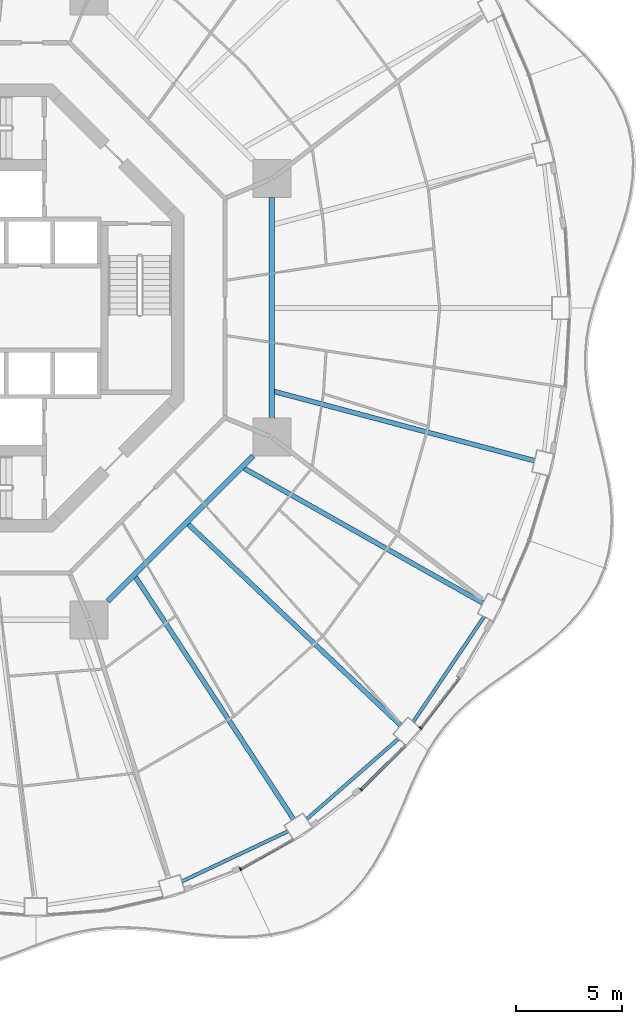
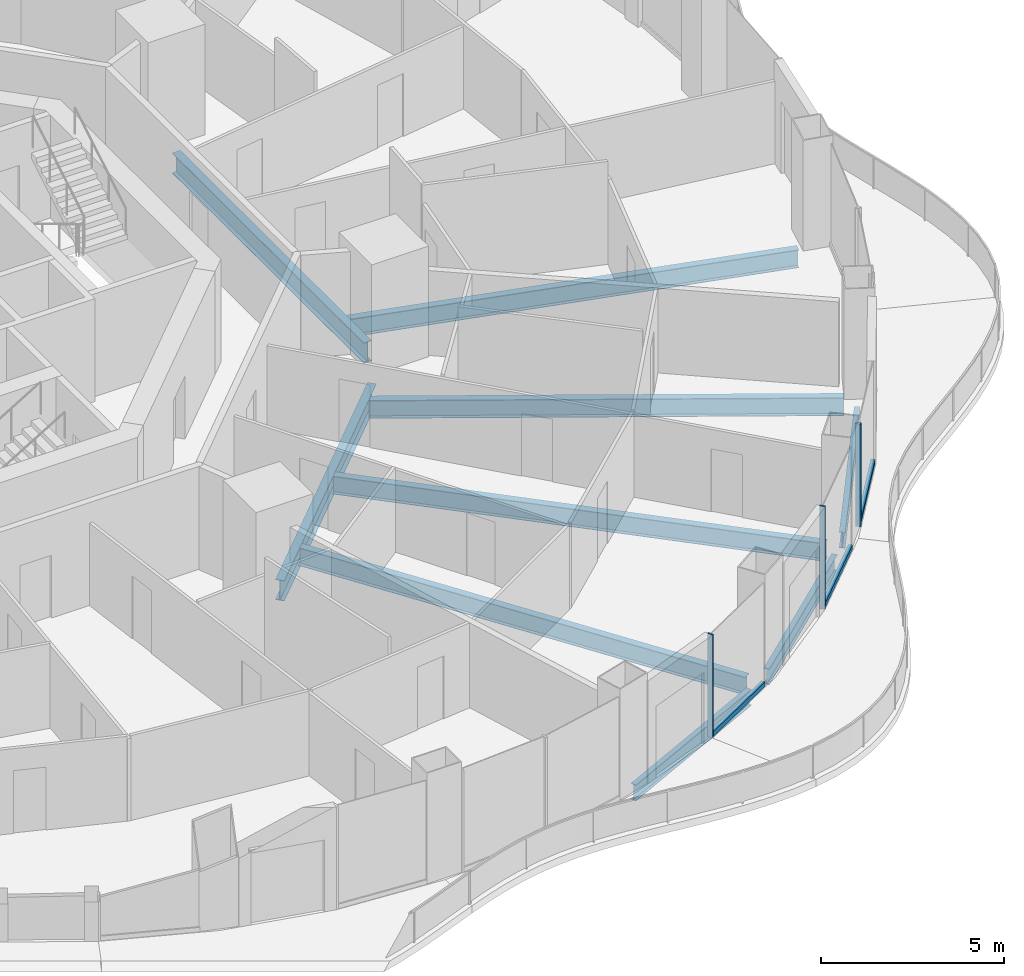
# One storey, part 4 of 19: 9 beams, 6 members, 3 elements without a shape of their own.
"""IFC4 building model written with IfcOpenShell, lengths in metres."""

from ifc_helpers import new_model, si_unit, direction, frame, origin, origin_2d, place, context, subcontext, project, spatial, rectangle, i_section, extrude, material, layer, layer_set, material_profile, profile_set, type_object, element, aggregate, save


model = new_model("IFC4")

# Units and contexts
model_context = context("Model", 3, precision=1e-05, world=origin(), true_north=direction((0.0, 1.0)))
body_context = subcontext(model_context, "Body", "Model", "MODEL_VIEW")
ifc_project = project(units=[si_unit("LENGTHUNIT", "METRE"), si_unit("AREAUNIT", "SQUARE_METRE"), si_unit("VOLUMEUNIT", "CUBIC_METRE"), si_unit("PLANEANGLEUNIT", "RADIAN"), si_unit("MASSUNIT", "GRAM", prefix="KILO")], contexts=[model_context])

# Site, building, storey
site_placement = place(None, origin())
site = spatial("IfcSite", under=ifc_project, at=site_placement, CompositionType="ELEMENT")
building_placement = place(site_placement, origin())
building = spatial("IfcBuilding", under=site, at=building_placement, Name="Nagisa Residences", CompositionType="ELEMENT")
storey_placement = place(building_placement, frame((0.0, 0.0, 191.800048828125)))
storey = spatial("IfcBuildingStorey", under=building, at=storey_placement, Name="L48", CompositionType="ELEMENT", Elevation=191.800048828125)

# Curtain wall, member
ifc_material_1 = material(Name="Concrete-coloured aluminium curtain wall system", Category="concrete")
ifc_layer = layer(ifc_material_1, 0.159912109375)
ifc_layer_set = layer_set([ifc_layer], Name="CW1 CURTAIN WALL")
curtain_wall_type = type_object("IfcCurtainWallType", Name="CW1 CURTAIN WALL", PredefinedType="NOTDEFINED", material=ifc_layer_set)
curtain_wall_1_placement = place(storey_placement, origin())
curtain_wall_1 = element("IfcCurtainWall", 1, at=curtain_wall_1_placement, inside=storey, type_object=curtain_wall_type, Name="cw:CW1:L48:39", PredefinedType="NOTDEFINED")
ifc_material_2 = material(Name="Concrete-coloured aluminium", Category="concrete")
ifc_material_profile_1 = material_profile(ifc_material_2, rectangle(XDim=0.159912109375, YDim=0.06005859375, at=origin_2d()), Name="CW1 MULLION 160x60")
ifc_profile_set_1 = profile_set([ifc_material_profile_1], Name="Concrete-coloured aluminium")
member_type_1 = type_object("IfcMemberType", Name="CW1 MULLION 160x60", PredefinedType="MULLION", material=ifc_profile_set_1)
member_1_placement = place(storey_placement, frame((13.297607421875, -26.592529296875, 0.0), z_axis=(0.0, 0.0, 1.0), x_axis=(-0.489376918501, 0.872072377523, 0.0)))
member_1 = element("IfcMember", 2, at=member_1_placement, type_object=member_type_1, Name="CW1 mullion", PredefinedType="MULLION", context=body_context, shape_type="SweptSolid", body=[
    extrude(rectangle(XDim=0.159912109375, YDim=0.06005859375, at=origin_2d()), origin(), (0.0, 0.0, 1.0), 3.43994140625),
])

curtain_wall_2_placement = place(storey_placement, origin())
curtain_wall_2 = element("IfcCurtainWall", 3, at=curtain_wall_2_placement, inside=storey, type_object=curtain_wall_type, Name="cw:CW1:L48:41", PredefinedType="NOTDEFINED")
member_2_placement = place(storey_placement, frame((19.011962890625, -22.830322265625, 0.0), z_axis=(0.0, 0.0, 1.0), x_axis=(-0.706376885714, 0.707835924016, 0.0)))
member_2 = element("IfcMember", 4, at=member_2_placement, type_object=member_type_1, Name="CW1 mullion", PredefinedType="MULLION", context=body_context, shape_type="SweptSolid", body=[
    extrude(rectangle(XDim=0.159912109375, YDim=0.06005859375, at=origin_2d()), origin(), (0.0, 0.0, 1.0), 3.43994140625),
])

curtain_wall_3_placement = place(storey_placement, origin())
curtain_wall_3 = element("IfcCurtainWall", 5, at=curtain_wall_3_placement, inside=storey, type_object=curtain_wall_type, Name="cw:CW1:L48:42", PredefinedType="NOTDEFINED")
member_3_placement = place(storey_placement, frame((21.83349609375, -19.909423828125, 0.0), z_axis=(0.0, 0.0, 1.0), x_axis=(-0.792070340816, 0.610429828235, 0.0)))
member_3 = element("IfcMember", 6, at=member_3_placement, type_object=member_type_1, Name="CW1 mullion", PredefinedType="MULLION", context=body_context, shape_type="SweptSolid", body=[
    extrude(rectangle(XDim=0.159912109375, YDim=0.06005859375, at=origin_2d()), origin(), (0.0, 0.0, 1.0), 3.43994140625),
])

# Member
ifc_material_3 = material(Name="Concrete-coloured aluminium", Category="concrete")
ifc_material_profile_2 = material_profile(ifc_material_3, rectangle(XDim=0.1201171875, YDim=0.14990234375, at=origin_2d()), Name="CW1 TRANSOM 120x150")
ifc_profile_set_2 = profile_set([ifc_material_profile_2], Name="Concrete-coloured aluminium")
member_type_2 = type_object("IfcMemberType", Name="CW1 TRANSOM 120x150", PredefinedType="USERDEFINED", material=ifc_profile_set_2)
member_4_placement = place(storey_placement, frame((13.271484375, -26.607177734375, 0.074951171875), z_axis=(0.872078262455, 0.489366431371, 0.0), x_axis=(-0.489366431371, 0.872078262455, 0.0)))
member_4 = element("IfcMember", 7, at=member_4_placement, type_object=member_type_2, Name="CW1 transom", ObjectType="TRANSOM", PredefinedType="USERDEFINED", context=body_context, shape_type="SweptSolid", body=[
    extrude(rectangle(XDim=0.1201171875, YDim=0.14990234375, at=origin_2d()), origin(), (0.0, 0.0, 1.0), 2.863525390625),
])

aggregate(curtain_wall_1, [member_1, member_4])

member_5_placement = place(storey_placement, frame((18.99072265625, -22.8515625, 0.074951171875), z_axis=(0.707803821372, 0.706409053206, 0.0), x_axis=(-0.706409053206, 0.707803821372, 0.0)))
member_5 = element("IfcMember", 8, at=member_5_placement, type_object=member_type_2, Name="CW1 transom", ObjectType="TRANSOM", PredefinedType="USERDEFINED", context=body_context, shape_type="SweptSolid", body=[
    extrude(rectangle(XDim=0.1201171875, YDim=0.14990234375, at=origin_2d()), origin(), (0.0, 0.0, 1.0), 2.9755859375),
])

aggregate(curtain_wall_2, [member_2, member_5])

member_6_placement = place(storey_placement, frame((21.815185546875, -19.933349609375, 0.074951171875), z_axis=(0.610398538814, 0.792094453846, 0.0), x_axis=(-0.792094453846, 0.610398538814, 0.0)))
member_6 = element("IfcMember", 9, at=member_6_placement, type_object=member_type_2, Name="CW1 transom", ObjectType="TRANSOM", PredefinedType="USERDEFINED", context=body_context, shape_type="SweptSolid", body=[
    extrude(rectangle(XDim=0.1201171875, YDim=0.14990234375, at=origin_2d()), origin(), (0.0, 0.0, 1.0), 3.035400390625),
])

aggregate(curtain_wall_3, [member_3, member_6])

# Beams
ifc_material_4 = material(Name="Steel ASTM A572 Gr 50", Category="steel")
ifc_material_profile_3 = material_profile(ifc_material_4, i_section(OverallWidth=0.25390625, OverallDepth=0.68408203125, WebThickness=0.012451171875, FlangeThickness=0.018798828125, at=origin_2d()), Name="W690x140")
ifc_profile_set_3 = profile_set([ifc_material_profile_3], Name="Steel ASTM A572 Gr 50")
beam_type_1 = type_object("IfcBeamType", Name="Inner ring beam W690x140", PredefinedType="BEAM", material=ifc_profile_set_3)
beam_1_placement = place(storey_placement, frame((7.0087890625, -13.896240234375, -0.60205078125), z_axis=(0.707106781187, 0.707106781187, 0.0), x_axis=(-0.707106781187, 0.707106781187, 0.0)))
element("IfcBeam", 10, at=beam_1_placement, inside=storey, type_object=beam_type_1, Name="beam:L48:ib7", PredefinedType="BEAM", context=body_context, shape_type="SweptSolid", body=[
    extrude(i_section(OverallWidth=0.25390625, OverallDepth=0.68408203125, WebThickness=0.012451171875, FlangeThickness=0.018798828125, at=origin_2d()), origin(), (0.0, 0.0, 1.0), 9.740234375),
])
beam_2_placement = place(storey_placement, frame((14.781982421875, -5.242919921875, -0.60205078125), z_axis=(0.0, 1.0, 0.0), x_axis=(-1.0, 0.0, 0.0)))
element("IfcBeam", 11, at=beam_2_placement, inside=storey, type_object=beam_type_1, Name="beam:L48:ib8", PredefinedType="BEAM", context=body_context, shape_type="SweptSolid", body=[
    extrude(i_section(OverallWidth=0.25390625, OverallDepth=0.68408203125, WebThickness=0.012451171875, FlangeThickness=0.018798828125, at=origin_2d()), origin(), (0.0, 0.0, 1.0), 10.48583984375),
])
ifc_material_5 = material(Name="Steel ASTM A572 Gr 50", Category="steel")
ifc_material_profile_4 = material_profile(ifc_material_5, i_section(OverallWidth=0.166015625, OverallDepth=0.534912109375, WebThickness=0.01025390625, FlangeThickness=0.0166015625, at=origin_2d()), Name="W530x85")
ifc_profile_set_4 = profile_set([ifc_material_profile_4], Name="Steel ASTM A572 Gr 50")
beam_type_2 = type_object("IfcBeamType", Name="Perimeter ring beam W530x85", PredefinedType="BEAM", material=ifc_profile_set_4)
beam_3_placement = place(storey_placement, frame((10.522705078125, -27.17919921875, -0.527587890625), z_axis=(0.904157325884, 0.427199637232, 0.0), x_axis=(-0.427199637232, 0.904157325884, 0.0)))
element("IfcBeam", 12, at=beam_3_placement, inside=storey, type_object=beam_type_2, Name="beam:L48:pb20", PredefinedType="BEAM", context=body_context, shape_type="SweptSolid", body=[
    extrude(i_section(OverallWidth=0.166015625, OverallDepth=0.534912109375, WebThickness=0.01025390625, FlangeThickness=0.0166015625, at=origin_2d()), origin(), (0.0, 0.0, 1.0), 5.56396484375),
])
beam_4_placement = place(storey_placement, frame((16.440185546875, -24.220947265625, -0.527587890625), z_axis=(0.752461486776, 0.658636250838, 0.0), x_axis=(-0.658636250838, 0.752461486776, 0.0)))
element("IfcBeam", 13, at=beam_4_placement, inside=storey, type_object=beam_type_2, Name="beam:L48:pb21", PredefinedType="BEAM", context=body_context, shape_type="SweptSolid", body=[
    extrude(i_section(OverallWidth=0.166015625, OverallDepth=0.534912109375, WebThickness=0.01025390625, FlangeThickness=0.0166015625, at=origin_2d()), origin(), (0.0, 0.0, 1.0), 5.776611328125),
])
beam_5_placement = place(storey_placement, frame((21.487548828125, -19.62060546875, -0.527587890625), z_axis=(0.558152301307, 0.829738518177, 0.0), x_axis=(-0.829738518177, 0.558152301307, 0.0)))
element("IfcBeam", 14, at=beam_5_placement, inside=storey, type_object=beam_type_2, Name="beam:L48:pb22", PredefinedType="BEAM", context=body_context, shape_type="SweptSolid", body=[
    extrude(i_section(OverallWidth=0.166015625, OverallDepth=0.534912109375, WebThickness=0.01025390625, FlangeThickness=0.0166015625, at=origin_2d()), origin(), (0.0, 0.0, 1.0), 6.013916015625),
])
ifc_material_6 = material(Name="Steel ASTM A572 Gr 50", Category="steel")
ifc_material_profile_5 = material_profile(ifc_material_6, i_section(OverallWidth=0.22802734375, OverallDepth=0.60302734375, WebThickness=0.010498046875, FlangeThickness=0.014892578125, at=origin_2d()), Name="W610x101")
ifc_profile_set_5 = profile_set([ifc_material_profile_5], Name="Steel ASTM A572 Gr 50")
beam_type_3 = type_object("IfcBeamType", Name="Radial beam W610x101", PredefinedType="BEAM", material=ifc_profile_set_5)
beam_6_placement = place(storey_placement, frame((15.816162109375, -24.234375, -0.5615234375), z_axis=(-0.546541244511, 0.837432187135, 0.0), x_axis=(-0.837432187135, -0.546541244511, 0.0)))
element("IfcBeam", 15, at=beam_6_placement, inside=storey, type_object=beam_type_3, Name="beam:L48:rb21", PredefinedType="BEAM", context=body_context, shape_type="SweptSolid", body=[
    extrude(i_section(OverallWidth=0.22802734375, OverallDepth=0.60302734375, WebThickness=0.010498046875, FlangeThickness=0.014892578125, at=origin_2d()), origin(), (0.0, 0.0, 1.0), 13.72412109375),
])
beam_7_placement = place(storey_placement, frame((20.89501953125, -19.785400390625, -0.5615234375), z_axis=(-0.726119962477, 0.687568033064, 0.0), x_axis=(-0.687568033064, -0.726119962477, 0.0)))
element("IfcBeam", 16, at=beam_7_placement, inside=storey, type_object=beam_type_3, Name="beam:L48:rb22", PredefinedType="BEAM", context=body_context, shape_type="SweptSolid", body=[
    extrude(i_section(OverallWidth=0.22802734375, OverallDepth=0.60302734375, WebThickness=0.010498046875, FlangeThickness=0.014892578125, at=origin_2d()), origin(), (0.0, 0.0, 1.0), 13.88134765625),
])
beam_8_placement = place(storey_placement, frame((24.789306640625, -13.98828125, -0.5615234375), z_axis=(-0.870904520395, 0.491452252366, 0.0), x_axis=(-0.491452252366, -0.870904520395, 0.0)))
element("IfcBeam", 17, at=beam_8_placement, inside=storey, type_object=beam_type_3, Name="beam:L48:rb23", PredefinedType="BEAM", context=body_context, shape_type="SweptSolid", body=[
    extrude(i_section(OverallWidth=0.22802734375, OverallDepth=0.60302734375, WebThickness=0.010498046875, FlangeThickness=0.014892578125, at=origin_2d()), origin(), (0.0, 0.0, 1.0), 13.007080078125),
])
beam_9_placement = place(storey_placement, frame((27.23583984375, -7.239990234375, -0.5615234375), z_axis=(-0.966436061719, 0.256907256826, 0.0), x_axis=(-0.256907256826, -0.966436061719, 0.0)))
element("IfcBeam", 18, at=beam_9_placement, inside=storey, type_object=beam_type_3, Name="beam:L48:rb24", PredefinedType="BEAM", context=body_context, shape_type="SweptSolid", body=[
    extrude(i_section(OverallWidth=0.22802734375, OverallDepth=0.60302734375, WebThickness=0.010498046875, FlangeThickness=0.014892578125, at=origin_2d()), origin(), (0.0, 0.0, 1.0), 12.77490234375),
])

save(model, "model.ifc")
